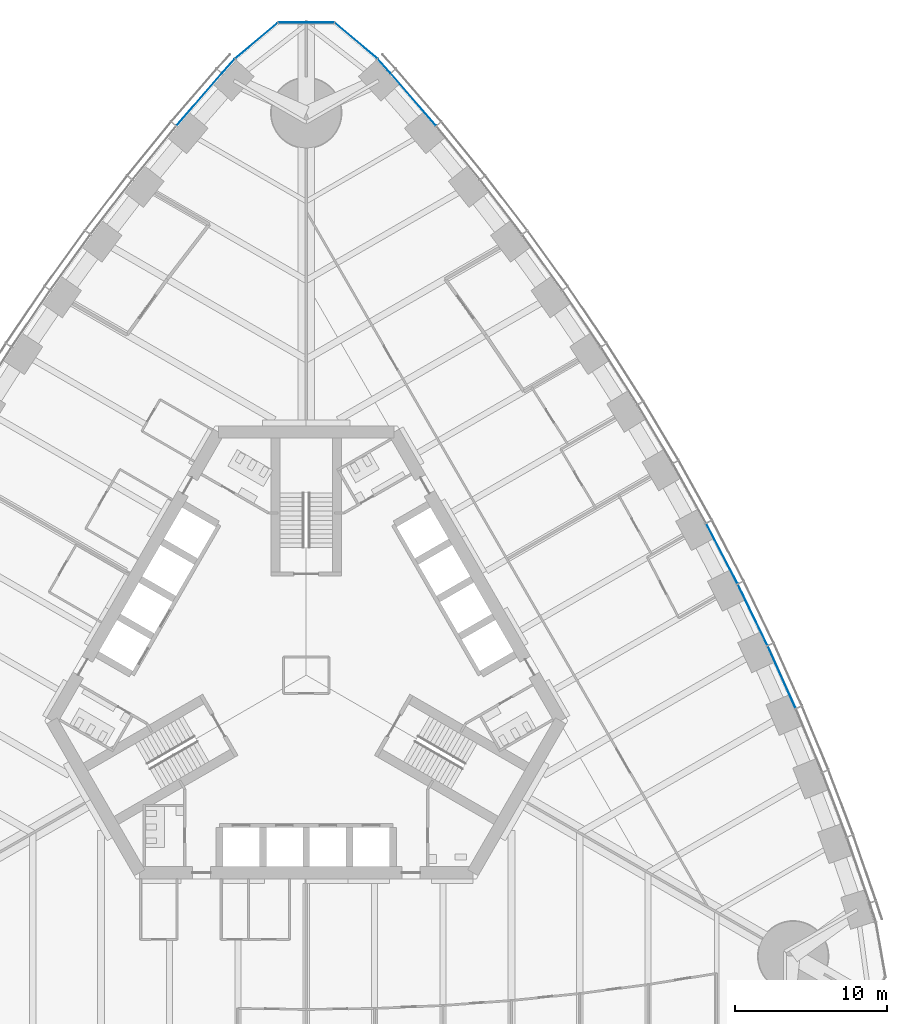
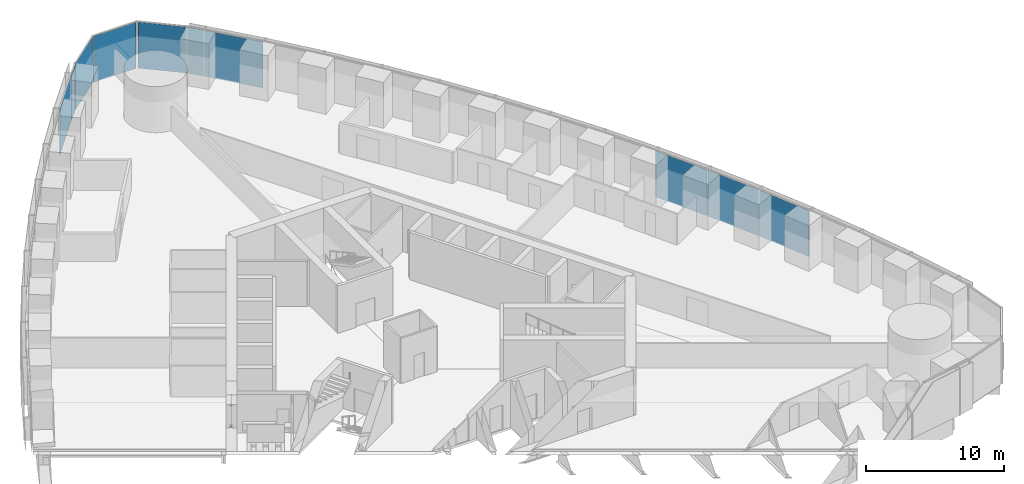
# One storey, part 9 of 18: 10 plates, 3 elements without a shape of their own.
"""IFC4 building model written with IfcOpenShell, lengths in metres."""

from ifc_helpers import new_model, si_unit, direction, frame, origin, origin_2d, place, context, subcontext, project, spatial, rectangle, extrude, material, layer, layer_set, type_object, element, aggregate, save


model = new_model("IFC4")

# Units and contexts
model_context = context("Model", 3, precision=1e-05, world=origin(), true_north=direction((0.0, 1.0)))
body_context = subcontext(model_context, "Body", "Model", "MODEL_VIEW")
ifc_project = project(units=[si_unit("LENGTHUNIT", "METRE"), si_unit("AREAUNIT", "SQUARE_METRE"), si_unit("VOLUMEUNIT", "CUBIC_METRE"), si_unit("PLANEANGLEUNIT", "RADIAN"), si_unit("MASSUNIT", "GRAM", prefix="KILO")], contexts=[model_context])

# Site, building, storey
site_placement = place(None, origin())
site = spatial("IfcSite", under=ifc_project, at=site_placement, CompositionType="ELEMENT")
building_placement = place(site_placement, origin())
building = spatial("IfcBuilding", under=site, at=building_placement, Name="Trefoil Bronze Tower", CompositionType="ELEMENT")
storey_placement = place(building_placement, frame((0.0, 0.0, 66.89990234375)))
storey = spatial("IfcBuildingStorey", under=building, at=storey_placement, Name="L15", CompositionType="ELEMENT", Elevation=66.89990234375)

# Curtain wall, plates
ifc_material_1 = material(Name="Tinted solar-control glass", Category="glass")
curtain_wall_type_1 = type_object("IfcCurtainWallType", Name="Bronze office curtain wall", PredefinedType="USERDEFINED", material=ifc_material_1)
curtain_wall_1_placement = place(storey_placement, origin())
curtain_wall_1 = element("IfcCurtainWall", 1, at=curtain_wall_1_placement, inside=storey, type_object=curtain_wall_type_1, Name="CW-A L15 F2", ObjectType="CURTAIN WALL", PredefinedType="USERDEFINED")
ifc_material_2 = material(Name="Tinted solar-control glass", Category="glass")
ifc_layer_1 = layer(ifc_material_2, 0.030029296875)
ifc_layer_set_1 = layer_set([ifc_layer_1], Name="Bronze office curtain wall glass panel")
plate_type_1 = type_object("IfcPlateType", Name="Bronze office curtain wall glass panel", PredefinedType="CURTAIN_PANEL", material=ifc_layer_set_1)
plate_1_placement = place(storey_placement, frame((31.28857421875, -0.1337890625, 0.0), z_axis=(0.0, 0.0, 1.0), x_axis=(-0.40945635808, 0.912329705111, 0.0)))
plate_1 = element("IfcPlate", 2, at=plate_1_placement, type_object=plate_type_1, Name="CW-A L15 F2 panel 5", PredefinedType="CURTAIN_PANEL", context=body_context, shape_type="SweptSolid", body=[
    extrude(rectangle(XDim=4.443359375, YDim=0.030029296875, at=origin_2d()), origin(), (0.0, 0.0, 1.0), 4.080078125),
])
plate_2_placement = place(storey_placement, frame((29.3779296875, 3.962646484375, 0.0), z_axis=(0.0, 0.0, 1.0), x_axis=(-0.4358553457, 0.900016731858, 0.0)))
plate_2 = element("IfcPlate", 3, at=plate_2_placement, type_object=plate_type_1, Name="CW-A L15 F2 panel 6", PredefinedType="CURTAIN_PANEL", context=body_context, shape_type="SweptSolid", body=[
    extrude(rectangle(XDim=4.431884765625, YDim=0.030029296875, at=origin_2d()), origin(), (0.0, 0.0, 1.0), 4.080078125),
])
plate_3_placement = place(storey_placement, frame((27.353271484375, 7.9931640625, 0.0), z_axis=(0.0, 0.0, 1.0), x_axis=(-0.46182981834, 0.886968555752, 0.0)))
plate_3 = element("IfcPlate", 4, at=plate_3_placement, type_object=plate_type_1, Name="CW-A L15 F2 panel 7", PredefinedType="CURTAIN_PANEL", context=body_context, shape_type="SweptSolid", body=[
    extrude(rectangle(XDim=4.42431640625, YDim=0.030029296875, at=origin_2d()), origin(), (0.0, 0.0, 1.0), 4.080078125),
])
plate_4_placement = place(storey_placement, frame((7.056396484375, 37.870849609375, 0.0), z_axis=(0.0, 0.0, 1.0), x_axis=(-0.654376090833, 0.756169248083, 0.0)))
plate_4 = element("IfcPlate", 5, at=plate_4_placement, type_object=plate_type_1, Name="CW-A L15 F2 panel 15", PredefinedType="CURTAIN_PANEL", context=body_context, shape_type="SweptSolid", body=[
    extrude(rectangle(XDim=4.502197265625, YDim=0.030029296875, at=origin_2d()), origin(), (0.0, 0.0, 1.0), 4.080078125),
])
plate_5_placement = place(storey_placement, frame((5.12451171875, 40.08447265625, 0.0), z_axis=(0.0, 0.0, 1.0), x_axis=(-0.668575006272, 0.743644714221, 0.0)))
plate_5 = element("IfcPlate", 6, at=plate_5_placement, type_object=plate_type_1, Name="CW-A L15 F2 panel 16", PredefinedType="CURTAIN_PANEL", context=body_context, shape_type="SweptSolid", body=[
    extrude(rectangle(XDim=1.21044921875, YDim=0.030029296875, at=origin_2d()), origin(), (0.0, 0.0, 1.0), 4.080078125),
])
aggregate(curtain_wall_1, [plate_1, plate_2, plate_3, plate_4, plate_5])

curtain_wall_2_placement = place(storey_placement, origin())
curtain_wall_2 = element("IfcCurtainWall", 7, at=curtain_wall_2_placement, inside=storey, type_object=curtain_wall_type_1, Name="CW-A L15 F3", ObjectType="CURTAIN WALL", PredefinedType="USERDEFINED")
plate_6_placement = place(storey_placement, frame((-5.12451171875, 40.08447265625, 0.0), z_axis=(0.0, 0.0, 1.0), x_axis=(-0.668575006272, -0.743644714221, 0.0)))
plate_6 = element("IfcPlate", 8, at=plate_6_placement, type_object=plate_type_1, Name="CW-A L15 F3 panel 1", PredefinedType="CURTAIN_PANEL", context=body_context, shape_type="SweptSolid", body=[
    extrude(rectangle(XDim=1.21044921875, YDim=0.030029296875, at=origin_2d()), origin(), (0.0, 0.0, 1.0), 4.080078125),
])
plate_7_placement = place(storey_placement, frame((-7.056396484375, 37.870849609375, 0.0), z_axis=(0.0, 0.0, 1.0), x_axis=(-0.654376090833, -0.756169248083, 0.0)))
plate_7 = element("IfcPlate", 9, at=plate_7_placement, type_object=plate_type_1, Name="CW-A L15 F3 panel 2", PredefinedType="CURTAIN_PANEL", context=body_context, shape_type="SweptSolid", body=[
    extrude(rectangle(XDim=4.502197265625, YDim=0.030029296875, at=origin_2d()), origin(), (0.0, 0.0, 1.0), 4.080078125),
])
aggregate(curtain_wall_2, [plate_6, plate_7])

ifc_material_3 = material(Name="Tinted solar-control glass", Category="glass")
curtain_wall_type_2 = type_object("IfcCurtainWallType", Name="Bronze rounded corner curtain wall", PredefinedType="USERDEFINED", material=ifc_material_3)
curtain_wall_3_placement = place(storey_placement, origin())
curtain_wall_3 = element("IfcCurtainWall", 10, at=curtain_wall_3_placement, inside=storey, type_object=curtain_wall_type_2, Name="CW-B L15 K2", ObjectType="CURTAIN WALL", PredefinedType="USERDEFINED")
ifc_material_4 = material(Name="Tinted solar-control glass", Category="glass")
ifc_layer_2 = layer(ifc_material_4, 0.030029296875)
ifc_layer_set_2 = layer_set([ifc_layer_2], Name="Bronze rounded corner curtain wall glass panel")
plate_type_2 = type_object("IfcPlateType", Name="Bronze rounded corner curtain wall glass panel", PredefinedType="CURTAIN_PANEL", material=ifc_layer_set_2)
plate_8_placement = place(storey_placement, frame((3.28564453125, 41.74658203125, 0.0), z_axis=(0.0, 0.0, 1.0), x_axis=(-0.766044443119, 0.642787609687, 0.0)))
plate_8 = element("IfcPlate", 11, at=plate_8_placement, type_object=plate_type_2, Name="CW-B L15 K2 panel 1", PredefinedType="CURTAIN_PANEL", context=body_context, shape_type="SweptSolid", body=[
    extrude(rectangle(XDim=3.588134765625, YDim=0.030029296875, at=origin_2d()), origin(), (0.0, 0.0, 1.0), 4.080078125),
])
plate_9_placement = place(storey_placement, frame((0.0, 42.9423828125, 0.0), z_axis=(0.0, 0.0, 1.0), x_axis=(-1.0, 0.0, 0.0)))
plate_9 = element("IfcPlate", 12, at=plate_9_placement, type_object=plate_type_2, Name="CW-B L15 K2 panel 2", PredefinedType="CURTAIN_PANEL", context=body_context, shape_type="SweptSolid", body=[
    extrude(rectangle(XDim=3.588134765625, YDim=0.030029296875, at=origin_2d()), origin(), (0.0, 0.0, 1.0), 4.080078125),
])
plate_10_placement = place(storey_placement, frame((-3.28564453125, 41.74658203125, 0.0), z_axis=(0.0, 0.0, 1.0), x_axis=(-0.766044443119, -0.642787609687, 0.0)))
plate_10 = element("IfcPlate", 13, at=plate_10_placement, type_object=plate_type_2, Name="CW-B L15 K2 panel 3", PredefinedType="CURTAIN_PANEL", context=body_context, shape_type="SweptSolid", body=[
    extrude(rectangle(XDim=3.588134765625, YDim=0.030029296875, at=origin_2d()), origin(), (0.0, 0.0, 1.0), 4.080078125),
])
aggregate(curtain_wall_3, [plate_8, plate_9, plate_10])

save(model, "model.ifc")
